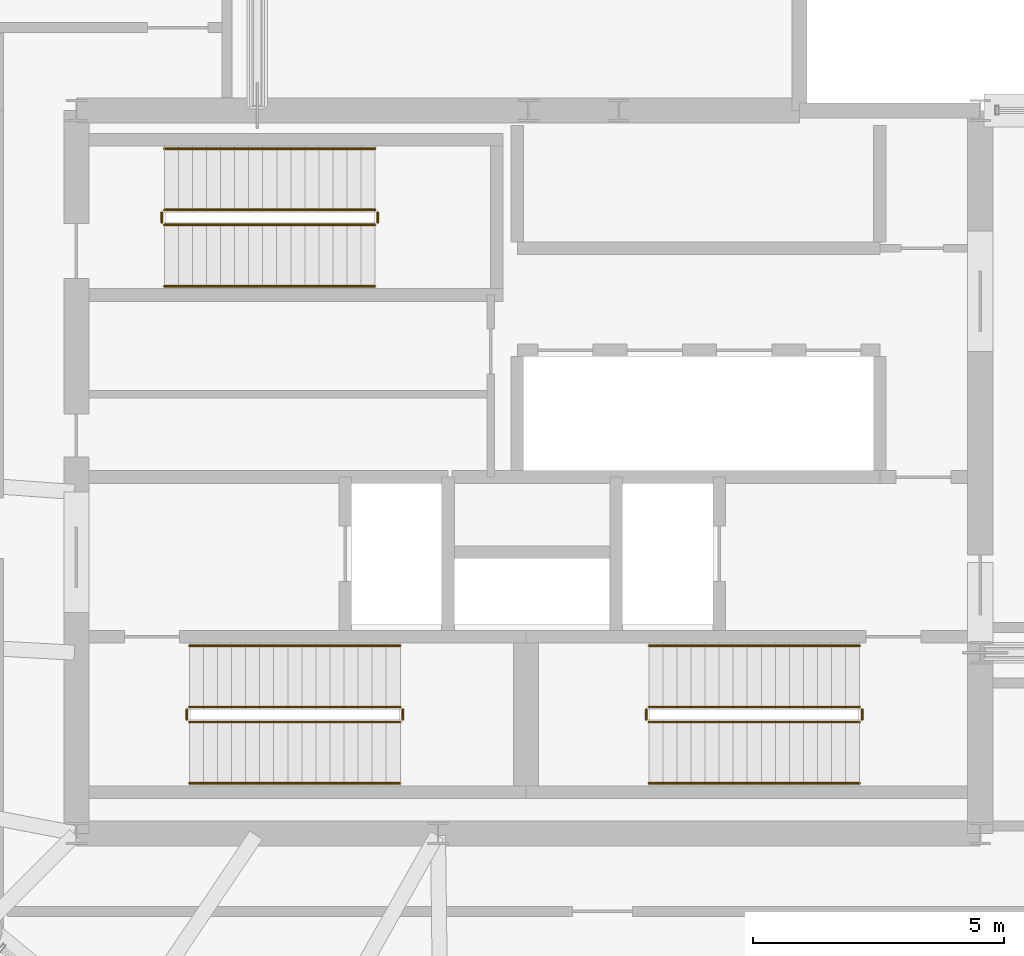
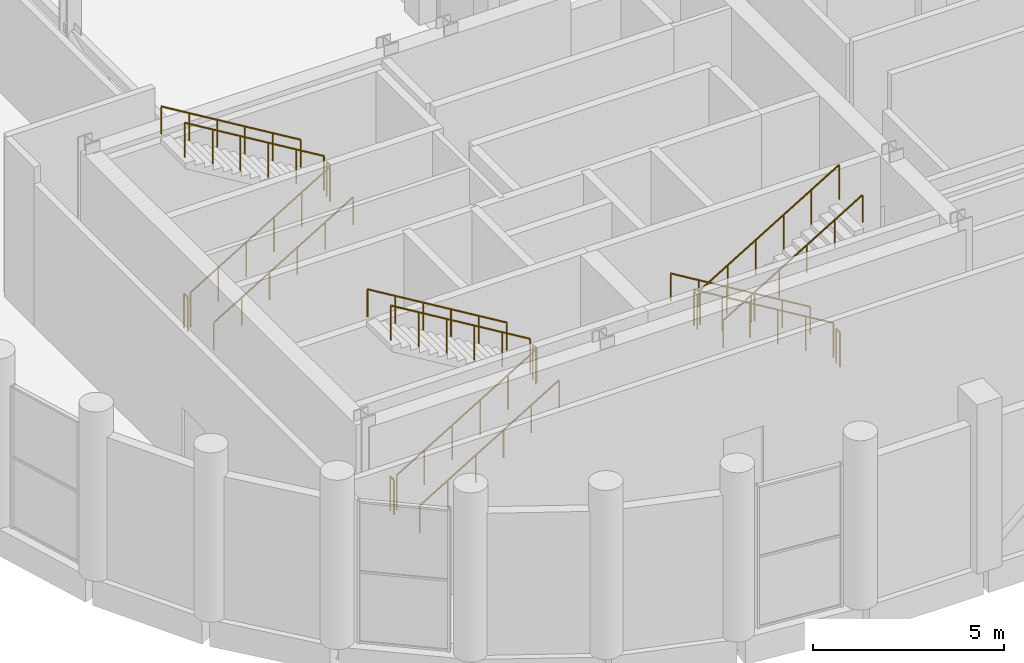
# One storey, part 19 of 19: 18 railings.
"""IFC4 building model written with IfcOpenShell, lengths in metres."""

import ifcopenshell
import ifcopenshell.guid

model = None  # the IFC model being written
_history = None  # IfcOwnerHistory: only IFC2X3 demands one
_inside = {}  # id of a spatial element -> (the spatial element, [elements in it])
_under = {}  # id of a project, library or spatial element -> (it, [spatial elements below it])
_declared = {}  # id of a project -> (the project, [libraries it declares])
_typed = {}  # id of a type object -> (the type object, [elements of that type])
_made_of = {}  # id of a material, layer set ... -> (it, [elements and type objects made of it])


def new_model(schema):
    """Start an empty IFC model of exactly this schema.

    Asked for "IFC4X3", IfcOpenShell would pick the latest addendum, in which some entities
    have other attributes; the version numbers below select the first issue.
    IFC2X3 requires an IfcOwnerHistory on every rooted entity: one is made here for all.
    """
    global model, _history
    if schema == "IFC4X3":
        model = ifcopenshell.file(schema_version=(4, 3, 0, 0))
    else:
        model = ifcopenshell.file(schema=schema)
    _inside.clear()
    _under.clear()
    _declared.clear()
    _typed.clear()
    _made_of.clear()
    _history = None
    if model.schema == "IFC2X3":
        org = make("IfcOrganization", Name="unknown")
        user = make(
            "IfcPersonAndOrganization",
            ThePerson=make("IfcPerson", FamilyName="unknown"),
            TheOrganization=org,
        )
        app = make(
            "IfcApplication",
            ApplicationDeveloper=org,
            Version="unknown",
            ApplicationFullName="unknown",
            ApplicationIdentifier="unknown",
        )
        _history = make(
            "IfcOwnerHistory",
            OwningUser=user,
            OwningApplication=app,
            ChangeAction="ADDED",
            CreationDate=0,
        )
    return model


def make(cls, **values):
    """One entity of the class cls with the attributes given. An attribute that is None is left unset."""
    return model.create_entity(
        cls, **{name: value for name, value in values.items() if value is not None}
    )


def rooted(cls, **values):
    """An entity with a GlobalId (a new one), such as an element, a storey or a relation."""
    return make(cls, GlobalId=ifcopenshell.guid.new(), OwnerHistory=_history, **values)


def si_unit(unit_type, name, prefix=None):
    """IfcSIUnit, for example si_unit("LENGTHUNIT", "METRE", prefix="MILLI")."""
    return make("IfcSIUnit", UnitType=unit_type, Prefix=prefix, Name=name)


def assignment(units):
    """IfcUnitAssignment: the units of a project."""
    return None if units is None else make("IfcUnitAssignment", Units=units)


def point(xyz):
    """IfcCartesianPoint."""
    return None if xyz is None else make("IfcCartesianPoint", Coordinates=xyz)


def direction(xyz):
    """IfcDirection."""
    return None if xyz is None else make("IfcDirection", DirectionRatios=xyz)


def frame(location, z_axis=None, x_axis=None):
    """IfcAxis2Placement3D, a coordinate frame: its origin and axes. An axis left out is left unset."""
    return make(
        "IfcAxis2Placement3D",
        Location=point(location),
        Axis=direction(z_axis),
        RefDirection=direction(x_axis),
    )


def frame_2d(location, x_axis=None):
    """IfcAxis2Placement2D, a coordinate frame in the plane: its origin and x axis."""
    return make(
        "IfcAxis2Placement2D", Location=point(location), RefDirection=direction(x_axis)
    )


def origin():
    """The frame at (0, 0, 0) with its axes left unset."""
    return frame((0.0, 0.0, 0.0))


def origin_2d():
    """The frame at (0, 0) in the plane with its x axis left unset."""
    return frame_2d((0.0, 0.0))


def place(relative_to, where):
    """IfcLocalPlacement: puts the frame where relative to a parent placement (None: the world)."""
    return make(
        "IfcLocalPlacement", PlacementRelTo=relative_to, RelativePlacement=where
    )


def context(
    kind, dimensions, precision=None, world=None, true_north=None, identifier=None
):
    """IfcGeometricRepresentationContext, for example the 3D "Model" context."""
    return make(
        "IfcGeometricRepresentationContext",
        ContextIdentifier=identifier,
        ContextType=kind,
        CoordinateSpaceDimension=dimensions,
        Precision=precision,
        WorldCoordinateSystem=world,
        TrueNorth=true_north,
    )


def subcontext(parent, identifier, kind, view, scale=None):
    """IfcGeometricRepresentationSubContext, for example "Body" below "Model"."""
    return make(
        "IfcGeometricRepresentationSubContext",
        ContextIdentifier=identifier,
        ContextType=kind,
        ParentContext=parent,
        TargetScale=scale,
        TargetView=view,
    )


def project(units=None, contexts=None):
    """IfcProject with its units and contexts."""
    return rooted(
        "IfcProject",
        Name="project",
        RepresentationContexts=contexts,
        UnitsInContext=assignment(units),
    )


def spatial(cls, under=None, at=None, **own):
    """A site, building, storey or space (cls), placed at a placement, below another one or the project."""
    s = rooted(cls, ObjectPlacement=at, **own)
    if under is not None:
        _under.setdefault(under.id(), (under, []))[1].append(s)
    return s


def profile(cls, at=None, kind="AREA", **sizes):
    """A parametric profile (cls). Its sizes go by their IFC names, for example OverallWidth=200.0."""
    return make(cls, ProfileType=kind, Position=at, **sizes)


def circle(**sizes):
    """IfcCircleProfileDef."""
    return profile("IfcCircleProfileDef", **sizes)


def extrude(swept, where, along, depth):
    """IfcExtrudedAreaSolid: the profile swept, set in the frame where, extruded along a direction by depth."""
    return make(
        "IfcExtrudedAreaSolid",
        SweptArea=swept,
        Position=where,
        ExtrudedDirection=direction(along),
        Depth=depth,
    )


def shape(context_of_items, identifier, shape_type, items):
    """IfcShapeRepresentation: the items that make up one representation, for example the "Body"."""
    return make(
        "IfcShapeRepresentation",
        ContextOfItems=context_of_items,
        RepresentationIdentifier=identifier,
        RepresentationType=shape_type,
        Items=items,
    )


def material(Name=None, Category=None):
    """IfcMaterial."""
    return make("IfcMaterial", Name=Name, Category=Category)


def made_of(thing, what):
    """Note that an element or type object is made of a material, layer set ...; save() writes the relation."""
    if what is not None:
        _made_of.setdefault(what.id(), (what, []))[1].append(thing)
    return thing


def type_object(cls, material=None, **own):
    """A type object (cls), such as IfcWallType, which elements share."""
    return made_of(rooted(cls, **own), material)


def element(
    cls,
    number,
    at=None,
    inside=None,
    cuts=None,
    type_object=None,
    material=None,
    context=None,
    identifier="Body",
    shape_type=None,
    held_by="IfcProductDefinitionShape",
    body=None,
    shapes=None,
    **own,
):
    """One element of the class cls, such as IfcWall. Its Tag is "e" and its number.

    at: its placement. inside: the storey or other place that contains it. cuts: it is an
    opening in that element (IfcRelVoidsElement). A single representation is given by context,
    identifier, shape_type and body (its items); several are given by shapes. held_by: the class
    of the entity that holds the representations. save() writes the other relations.
    """
    e = rooted(cls, Tag="e%d" % number, ObjectPlacement=at, **own)
    if body is not None:
        shapes = [shape(context, identifier, shape_type, body)]
    if shapes is not None:
        e.Representation = make(held_by, Representations=shapes)
    if inside is not None:
        _inside.setdefault(inside.id(), (inside, []))[1].append(e)
    if cuts is not None:
        rooted(
            "IfcRelVoidsElement", RelatingBuildingElement=cuts, RelatedOpeningElement=e
        )
    if type_object is not None:
        _typed.setdefault(type_object.id(), (type_object, []))[1].append(e)
    return made_of(e, material)


def aggregate(whole, parts):
    """IfcRelAggregates: a whole, such as a stair, and the parts it consists of."""
    return rooted("IfcRelAggregates", RelatingObject=whole, RelatedObjects=parts)


def save(model, path):
    """Write the relations noted so far, then the file.

    IfcRelAggregates (storeys below a building ...), IfcRelContainedInSpatialStructure (elements
    in a storey), IfcRelDefinesByType, IfcRelAssociatesMaterial and IfcRelDeclares: one each for
    every whole, place, type object, material and project.
    """
    for whole, parts in _under.values():
        aggregate(whole, parts)
    for where, things in _inside.values():
        rooted(
            "IfcRelContainedInSpatialStructure",
            RelatedElements=things,
            RelatingStructure=where,
        )
    for kind, things in _typed.values():
        rooted("IfcRelDefinesByType", RelatedObjects=things, RelatingType=kind)
    for what, things in _made_of.values():
        rooted("IfcRelAssociatesMaterial", RelatedObjects=things, RelatingMaterial=what)
    for by, libraries in _declared.values():
        rooted("IfcRelDeclares", RelatingContext=by, RelatedDefinitions=libraries)
    model.write(path)


model = new_model("IFC4")

# Units and contexts
model_context = context("Model", 3, precision=1e-05, world=origin(), true_north=direction((0.0, 1.0)))
body_context = subcontext(model_context, "Body", "Model", "MODEL_VIEW")
ifc_project = project(units=[si_unit("LENGTHUNIT", "METRE"), si_unit("AREAUNIT", "SQUARE_METRE"), si_unit("VOLUMEUNIT", "CUBIC_METRE"), si_unit("PLANEANGLEUNIT", "RADIAN"), si_unit("MASSUNIT", "GRAM", prefix="KILO")], contexts=[model_context])

# Site, building, storey
site_placement = place(None, origin())
site = spatial("IfcSite", under=ifc_project, at=site_placement, CompositionType="ELEMENT")
building_placement = place(site_placement, origin())
building = spatial("IfcBuilding", under=site, at=building_placement, Name="Solnavia Interchange Tower", CompositionType="ELEMENT")
storey_placement = place(building_placement, frame((0.0, 0.0, 169.39990234375)))
storey = spatial("IfcBuildingStorey", under=building, at=storey_placement, Name="L42", CompositionType="ELEMENT", Elevation=169.39990234375)

# Railings
ifc_material_1 = material(Name="Painted Steel Balustrade", Category="steel")
railing_type_1 = type_object("IfcRailingType", Name="Railing-StairGuard-1100", PredefinedType="GUARDRAIL", material=ifc_material_1)
railing_1_placement = place(storey_placement, frame((16.64990234375, 13.02001953125, 0.1689453125)))
element("IfcRailing", 1, at=railing_1_placement, inside=storey, type_object=railing_type_1, Name="L42 ST-1 stair guard 1", PredefinedType="GUARDRAIL", context=body_context, shape_type="SweptSolid", body=[
    extrude(circle(Radius=0.02392578125, at=origin_2d()), frame((0.0, 0.0, 1.09619140625), z_axis=(0.856489757249, 0.0, 0.516164020179), x_axis=(0.0, 1.0, 0.0)), (0.0, 0.0, 1.0), 4.904052734375),
    extrude(circle(Radius=0.02099609375, at=origin_2d()), origin(), (0.0, 0.0, 1.0), 1.072021484375),
    extrude(circle(Radius=0.02099609375, at=origin_2d()), frame((0.840087890625, 0.0, 0.50634765625)), (0.0, 0.0, 1.0), 1.072021484375),
    extrude(circle(Radius=0.02099609375, at=origin_2d()), frame((1.68017578125, 0.0, 1.012451171875)), (0.0, 0.0, 1.0), 1.072021484375),
    extrude(circle(Radius=0.02099609375, at=origin_2d()), frame((2.52001953125, 0.0, 1.518798828125)), (0.0, 0.0, 1.0), 1.072021484375),
    extrude(circle(Radius=0.02099609375, at=origin_2d()), frame((3.360107421875, 0.0, 2.02490234375)), (0.0, 0.0, 1.0), 1.072021484375),
    extrude(circle(Radius=0.02099609375, at=origin_2d()), frame((4.2001953125, 0.0, 2.53125)), (0.0, 0.0, 1.0), 1.072021484375),
])
railing_2_placement = place(storey_placement, frame((20.89990234375, 13.070068359375, 2.7001953125)))
element("IfcRailing", 2, at=railing_2_placement, inside=storey, type_object=railing_type_1, Name="L42 ST-1 stair guard 2", PredefinedType="GUARDRAIL", context=body_context, shape_type="SweptSolid", body=[
    extrude(circle(Radius=0.02392578125, at=origin_2d()), frame((0.0, 0.0, 1.09619140625), z_axis=(0.0, 1.0, 0.0), x_axis=(-1.0, 0.0, 0.0)), (0.0, 0.0, 1.0), 0.199951171875),
    extrude(circle(Radius=0.02099609375, at=origin_2d()), origin(), (0.0, 0.0, 1.0), 1.072021484375),
    extrude(circle(Radius=0.02099609375, at=origin_2d()), frame((0.0, 0.199951171875, 0.0)), (0.0, 0.0, 1.0), 1.072021484375),
])
railing_3_placement = place(storey_placement, frame((20.85009765625, 13.320068359375, 2.868896484375)))
element("IfcRailing", 3, at=railing_3_placement, inside=storey, type_object=railing_type_1, Name="L42 ST-1 stair guard 3", PredefinedType="GUARDRAIL", context=body_context, shape_type="SweptSolid", body=[
    extrude(circle(Radius=0.02392578125, at=origin_2d()), frame((0.0, 0.0, 1.09619140625), z_axis=(-0.856489757249, 0.0, 0.516164020179), x_axis=(0.0, -1.0, 0.0)), (0.0, 0.0, 1.0), 4.904052734375),
    extrude(circle(Radius=0.02099609375, at=origin_2d()), origin(), (0.0, 0.0, 1.0), 1.072021484375),
    extrude(circle(Radius=0.02099609375, at=origin_2d()), frame((-0.840087890625, 0.0, 0.50634765625)), (0.0, 0.0, 1.0), 1.072021484375),
    extrude(circle(Radius=0.02099609375, at=origin_2d()), frame((-1.68017578125, 0.0, 1.012451171875)), (0.0, 0.0, 1.0), 1.072021484375),
    extrude(circle(Radius=0.02099609375, at=origin_2d()), frame((-2.52001953125, 0.0, 1.518798828125)), (0.0, 0.0, 1.0), 1.072021484375),
    extrude(circle(Radius=0.02099609375, at=origin_2d()), frame((-3.360107421875, 0.0, 2.02490234375)), (0.0, 0.0, 1.0), 1.072021484375),
    extrude(circle(Radius=0.02099609375, at=origin_2d()), frame((-4.2001953125, 0.0, 2.53125)), (0.0, 0.0, 1.0), 1.072021484375),
])
railing_4_placement = place(storey_placement, frame((16.60009765625, 13.070068359375, 0.0)))
element("IfcRailing", 4, at=railing_4_placement, inside=storey, type_object=railing_type_1, Name="L42 ST-1 stair guard 4", PredefinedType="GUARDRAIL", context=body_context, shape_type="SweptSolid", body=[
    extrude(circle(Radius=0.02392578125, at=origin_2d()), frame((0.0, 0.0, 1.09619140625), z_axis=(0.0, 1.0, 0.0), x_axis=(-1.0, 0.0, 0.0)), (0.0, 0.0, 1.0), 0.199951171875),
    extrude(circle(Radius=0.02099609375, at=origin_2d()), origin(), (0.0, 0.0, 1.0), 1.072021484375),
    extrude(circle(Radius=0.02099609375, at=origin_2d()), frame((0.0, 0.199951171875, 0.0)), (0.0, 0.0, 1.0), 1.072021484375),
])
railing_5_placement = place(storey_placement, frame((30.0, 13.320068359375, 0.1689453125)))
element("IfcRailing", 5, at=railing_5_placement, inside=storey, type_object=railing_type_1, Name="L42 ST-2 stair guard 1", PredefinedType="GUARDRAIL", context=body_context, shape_type="SweptSolid", body=[
    extrude(circle(Radius=0.02392578125, at=origin_2d()), frame((0.0, 0.0, 1.09619140625), z_axis=(-0.856476492594, 0.0, 0.516186030065), x_axis=(0.0, -1.0, 0.0)), (0.0, 0.0, 1.0), 4.90380859375),
    extrude(circle(Radius=0.02099609375, at=origin_2d()), origin(), (0.0, 0.0, 1.0), 1.072021484375),
    extrude(circle(Radius=0.02099609375, at=origin_2d()), frame((-0.840087890625, 0.0, 0.50634765625)), (0.0, 0.0, 1.0), 1.072021484375),
    extrude(circle(Radius=0.02099609375, at=origin_2d()), frame((-1.679931640625, 0.0, 1.012451171875)), (0.0, 0.0, 1.0), 1.072021484375),
    extrude(circle(Radius=0.02099609375, at=origin_2d()), frame((-2.52001953125, 0.0, 1.518798828125)), (0.0, 0.0, 1.0), 1.072021484375),
    extrude(circle(Radius=0.02099609375, at=origin_2d()), frame((-3.35986328125, 0.0, 2.02490234375)), (0.0, 0.0, 1.0), 1.072021484375),
    extrude(circle(Radius=0.02099609375, at=origin_2d()), frame((-4.199951171875, 0.0, 2.53125)), (0.0, 0.0, 1.0), 1.072021484375),
])
railing_6_placement = place(storey_placement, frame((25.75, 13.27001953125, 2.7001953125)))
element("IfcRailing", 6, at=railing_6_placement, inside=storey, type_object=railing_type_1, Name="L42 ST-2 stair guard 2", PredefinedType="GUARDRAIL", context=body_context, shape_type="SweptSolid", body=[
    extrude(circle(Radius=0.02392578125, at=origin_2d()), frame((0.0, 0.0, 1.09619140625), z_axis=(0.0, -1.0, 0.0), x_axis=(1.0, 0.0, 0.0)), (0.0, 0.0, 1.0), 0.199951171875),
    extrude(circle(Radius=0.02099609375, at=origin_2d()), origin(), (0.0, 0.0, 1.0), 1.072021484375),
    extrude(circle(Radius=0.02099609375, at=origin_2d()), frame((0.0, -0.199951171875, 0.0)), (0.0, 0.0, 1.0), 1.072021484375),
])
railing_7_placement = place(storey_placement, frame((25.800048828125, 13.02001953125, 2.868896484375)))
element("IfcRailing", 7, at=railing_7_placement, inside=storey, type_object=railing_type_1, Name="L42 ST-2 stair guard 3", PredefinedType="GUARDRAIL", context=body_context, shape_type="SweptSolid", body=[
    extrude(circle(Radius=0.02392578125, at=origin_2d()), frame((0.0, 0.0, 1.09619140625), z_axis=(0.856476492594, 0.0, 0.516186030065), x_axis=(0.0, 1.0, 0.0)), (0.0, 0.0, 1.0), 4.90380859375),
    extrude(circle(Radius=0.02099609375, at=origin_2d()), origin(), (0.0, 0.0, 1.0), 1.072021484375),
    extrude(circle(Radius=0.02099609375, at=origin_2d()), frame((0.840087890625, 0.0, 0.50634765625)), (0.0, 0.0, 1.0), 1.072021484375),
    extrude(circle(Radius=0.02099609375, at=origin_2d()), frame((1.679931640625, 0.0, 1.012451171875)), (0.0, 0.0, 1.0), 1.072021484375),
    extrude(circle(Radius=0.02099609375, at=origin_2d()), frame((2.52001953125, 0.0, 1.518798828125)), (0.0, 0.0, 1.0), 1.072021484375),
    extrude(circle(Radius=0.02099609375, at=origin_2d()), frame((3.35986328125, 0.0, 2.02490234375)), (0.0, 0.0, 1.0), 1.072021484375),
    extrude(circle(Radius=0.02099609375, at=origin_2d()), frame((4.199951171875, 0.0, 2.53125)), (0.0, 0.0, 1.0), 1.072021484375),
])
railing_8_placement = place(storey_placement, frame((30.050048828125, 13.27001953125, 0.0)))
element("IfcRailing", 8, at=railing_8_placement, inside=storey, type_object=railing_type_1, Name="L42 ST-2 stair guard 4", PredefinedType="GUARDRAIL", context=body_context, shape_type="SweptSolid", body=[
    extrude(circle(Radius=0.02392578125, at=origin_2d()), frame((0.0, 0.0, 1.09619140625), z_axis=(0.0, -1.0, 0.0), x_axis=(1.0, 0.0, 0.0)), (0.0, 0.0, 1.0), 0.199951171875),
    extrude(circle(Radius=0.02099609375, at=origin_2d()), origin(), (0.0, 0.0, 1.0), 1.072021484375),
    extrude(circle(Radius=0.02099609375, at=origin_2d()), frame((0.0, -0.199951171875, 0.0)), (0.0, 0.0, 1.0), 1.072021484375),
])
railing_9_placement = place(storey_placement, frame((16.14990234375, 22.919921875, 0.1689453125)))
element("IfcRailing", 9, at=railing_9_placement, inside=storey, type_object=railing_type_1, Name="L42 ST-3 stair guard 1", PredefinedType="GUARDRAIL", context=body_context, shape_type="SweptSolid", body=[
    extrude(circle(Radius=0.02392578125, at=origin_2d()), frame((0.0, 0.0, 1.09619140625), z_axis=(0.856489757249, 0.0, 0.516164020179), x_axis=(0.0, 1.0, 0.0)), (0.0, 0.0, 1.0), 4.904052734375),
    extrude(circle(Radius=0.02099609375, at=origin_2d()), origin(), (0.0, 0.0, 1.0), 1.072021484375),
    extrude(circle(Radius=0.02099609375, at=origin_2d()), frame((0.840087890625, 0.0, 0.50634765625)), (0.0, 0.0, 1.0), 1.072021484375),
    extrude(circle(Radius=0.02099609375, at=origin_2d()), frame((1.68017578125, 0.0, 1.012451171875)), (0.0, 0.0, 1.0), 1.072021484375),
    extrude(circle(Radius=0.02099609375, at=origin_2d()), frame((2.52001953125, 0.0, 1.518798828125)), (0.0, 0.0, 1.0), 1.072021484375),
    extrude(circle(Radius=0.02099609375, at=origin_2d()), frame((3.360107421875, 0.0, 2.02490234375)), (0.0, 0.0, 1.0), 1.072021484375),
    extrude(circle(Radius=0.02099609375, at=origin_2d()), frame((4.2001953125, 0.0, 2.53125)), (0.0, 0.0, 1.0), 1.072021484375),
])
railing_10_placement = place(storey_placement, frame((20.39990234375, 22.969970703125, 2.7001953125)))
element("IfcRailing", 10, at=railing_10_placement, inside=storey, type_object=railing_type_1, Name="L42 ST-3 stair guard 2", PredefinedType="GUARDRAIL", context=body_context, shape_type="SweptSolid", body=[
    extrude(circle(Radius=0.02392578125, at=origin_2d()), frame((0.0, 0.0, 1.09619140625), z_axis=(0.0, 1.0, 0.0), x_axis=(-1.0, 0.0, 0.0)), (0.0, 0.0, 1.0), 0.199951171875),
    extrude(circle(Radius=0.02099609375, at=origin_2d()), origin(), (0.0, 0.0, 1.0), 1.072021484375),
    extrude(circle(Radius=0.02099609375, at=origin_2d()), frame((0.0, 0.199951171875, 0.0)), (0.0, 0.0, 1.0), 1.072021484375),
])
railing_11_placement = place(storey_placement, frame((20.35009765625, 23.219970703125, 2.868896484375)))
element("IfcRailing", 11, at=railing_11_placement, inside=storey, type_object=railing_type_1, Name="L42 ST-3 stair guard 3", PredefinedType="GUARDRAIL", context=body_context, shape_type="SweptSolid", body=[
    extrude(circle(Radius=0.02392578125, at=origin_2d()), frame((0.0, 0.0, 1.09619140625), z_axis=(-0.856489757249, 0.0, 0.516164020179), x_axis=(0.0, -1.0, 0.0)), (0.0, 0.0, 1.0), 4.904052734375),
    extrude(circle(Radius=0.02099609375, at=origin_2d()), origin(), (0.0, 0.0, 1.0), 1.072021484375),
    extrude(circle(Radius=0.02099609375, at=origin_2d()), frame((-0.840087890625, 0.0, 0.50634765625)), (0.0, 0.0, 1.0), 1.072021484375),
    extrude(circle(Radius=0.02099609375, at=origin_2d()), frame((-1.68017578125, 0.0, 1.012451171875)), (0.0, 0.0, 1.0), 1.072021484375),
    extrude(circle(Radius=0.02099609375, at=origin_2d()), frame((-2.52001953125, 0.0, 1.518798828125)), (0.0, 0.0, 1.0), 1.072021484375),
    extrude(circle(Radius=0.02099609375, at=origin_2d()), frame((-3.360107421875, 0.0, 2.02490234375)), (0.0, 0.0, 1.0), 1.072021484375),
    extrude(circle(Radius=0.02099609375, at=origin_2d()), frame((-4.2001953125, 0.0, 2.53125)), (0.0, 0.0, 1.0), 1.072021484375),
])
railing_12_placement = place(storey_placement, frame((16.10009765625, 22.969970703125, 0.0)))
element("IfcRailing", 12, at=railing_12_placement, inside=storey, type_object=railing_type_1, Name="L42 ST-3 stair guard 4", PredefinedType="GUARDRAIL", context=body_context, shape_type="SweptSolid", body=[
    extrude(circle(Radius=0.02392578125, at=origin_2d()), frame((0.0, 0.0, 1.09619140625), z_axis=(0.0, 1.0, 0.0), x_axis=(-1.0, 0.0, 0.0)), (0.0, 0.0, 1.0), 0.199951171875),
    extrude(circle(Radius=0.02099609375, at=origin_2d()), origin(), (0.0, 0.0, 1.0), 1.072021484375),
    extrude(circle(Radius=0.02099609375, at=origin_2d()), frame((0.0, 0.199951171875, 0.0)), (0.0, 0.0, 1.0), 1.072021484375),
])
ifc_material_2 = material(Name="Brushed Stainless Steel", Category="steel")
railing_type_2 = type_object("IfcRailingType", Name="Railing-StairHandrail-900", PredefinedType="HANDRAIL", material=ifc_material_2)
railing_13_placement = place(storey_placement, frame((16.64990234375, 11.800048828125, 0.1689453125)))
element("IfcRailing", 13, at=railing_13_placement, inside=storey, type_object=railing_type_2, Name="L42 ST-1 stair handrail 1", PredefinedType="HANDRAIL", context=body_context, shape_type="SweptSolid", body=[
    extrude(circle(Radius=0.02392578125, at=origin_2d()), frame((0.0, 0.0, 0.8759765625), z_axis=(0.856489757249, 0.0, 0.516164020179), x_axis=(0.0, 1.0, 0.0)), (0.0, 0.0, 1.0), 4.904052734375),
    extrude(circle(Radius=0.02099609375, at=origin_2d()), origin(), (0.0, 0.0, 1.0), 0.851806640625),
    extrude(circle(Radius=0.02099609375, at=origin_2d()), frame((0.840087890625, 0.0, 0.50634765625)), (0.0, 0.0, 1.0), 0.851806640625),
    extrude(circle(Radius=0.02099609375, at=origin_2d()), frame((1.68017578125, 0.0, 1.012451171875)), (0.0, 0.0, 1.0), 0.851806640625),
    extrude(circle(Radius=0.02099609375, at=origin_2d()), frame((2.52001953125, 0.0, 1.518798828125)), (0.0, 0.0, 1.0), 0.851806640625),
    extrude(circle(Radius=0.02099609375, at=origin_2d()), frame((3.360107421875, 0.0, 2.02490234375)), (0.0, 0.0, 1.0), 0.851806640625),
    extrude(circle(Radius=0.02099609375, at=origin_2d()), frame((4.2001953125, 0.0, 2.53125)), (0.0, 0.0, 1.0), 0.851806640625),
])
railing_14_placement = place(storey_placement, frame((20.85009765625, 14.5400390625, 2.868896484375)))
element("IfcRailing", 14, at=railing_14_placement, inside=storey, type_object=railing_type_2, Name="L42 ST-1 stair handrail 2", PredefinedType="HANDRAIL", context=body_context, shape_type="SweptSolid", body=[
    extrude(circle(Radius=0.02392578125, at=origin_2d()), frame((0.0, 0.0, 0.8759765625), z_axis=(-0.856489757249, 0.0, 0.516164020179), x_axis=(0.0, -1.0, 0.0)), (0.0, 0.0, 1.0), 4.904052734375),
    extrude(circle(Radius=0.02099609375, at=origin_2d()), origin(), (0.0, 0.0, 1.0), 0.851806640625),
    extrude(circle(Radius=0.02099609375, at=origin_2d()), frame((-0.840087890625, 0.0, 0.50634765625)), (0.0, 0.0, 1.0), 0.851806640625),
    extrude(circle(Radius=0.02099609375, at=origin_2d()), frame((-1.68017578125, 0.0, 1.012451171875)), (0.0, 0.0, 1.0), 0.851806640625),
    extrude(circle(Radius=0.02099609375, at=origin_2d()), frame((-2.52001953125, 0.0, 1.518798828125)), (0.0, 0.0, 1.0), 0.851806640625),
    extrude(circle(Radius=0.02099609375, at=origin_2d()), frame((-3.360107421875, 0.0, 2.02490234375)), (0.0, 0.0, 1.0), 0.851806640625),
    extrude(circle(Radius=0.02099609375, at=origin_2d()), frame((-4.2001953125, 0.0, 2.53125)), (0.0, 0.0, 1.0), 0.851806640625),
])
railing_15_placement = place(storey_placement, frame((30.0, 14.5400390625, 0.1689453125)))
element("IfcRailing", 15, at=railing_15_placement, inside=storey, type_object=railing_type_2, Name="L42 ST-2 stair handrail 1", PredefinedType="HANDRAIL", context=body_context, shape_type="SweptSolid", body=[
    extrude(circle(Radius=0.02392578125, at=origin_2d()), frame((0.0, 0.0, 0.8759765625), z_axis=(-0.856476492594, 0.0, 0.516186030065), x_axis=(0.0, -1.0, 0.0)), (0.0, 0.0, 1.0), 4.90380859375),
    extrude(circle(Radius=0.02099609375, at=origin_2d()), origin(), (0.0, 0.0, 1.0), 0.851806640625),
    extrude(circle(Radius=0.02099609375, at=origin_2d()), frame((-0.840087890625, 0.0, 0.50634765625)), (0.0, 0.0, 1.0), 0.851806640625),
    extrude(circle(Radius=0.02099609375, at=origin_2d()), frame((-1.679931640625, 0.0, 1.012451171875)), (0.0, 0.0, 1.0), 0.851806640625),
    extrude(circle(Radius=0.02099609375, at=origin_2d()), frame((-2.52001953125, 0.0, 1.518798828125)), (0.0, 0.0, 1.0), 0.851806640625),
    extrude(circle(Radius=0.02099609375, at=origin_2d()), frame((-3.35986328125, 0.0, 2.02490234375)), (0.0, 0.0, 1.0), 0.851806640625),
    extrude(circle(Radius=0.02099609375, at=origin_2d()), frame((-4.199951171875, 0.0, 2.53125)), (0.0, 0.0, 1.0), 0.851806640625),
])
railing_16_placement = place(storey_placement, frame((25.800048828125, 11.800048828125, 2.868896484375)))
element("IfcRailing", 16, at=railing_16_placement, inside=storey, type_object=railing_type_2, Name="L42 ST-2 stair handrail 2", PredefinedType="HANDRAIL", context=body_context, shape_type="SweptSolid", body=[
    extrude(circle(Radius=0.02392578125, at=origin_2d()), frame((0.0, 0.0, 0.8759765625), z_axis=(0.856476492594, 0.0, 0.516186030065), x_axis=(0.0, 1.0, 0.0)), (0.0, 0.0, 1.0), 4.90380859375),
    extrude(circle(Radius=0.02099609375, at=origin_2d()), origin(), (0.0, 0.0, 1.0), 0.851806640625),
    extrude(circle(Radius=0.02099609375, at=origin_2d()), frame((0.840087890625, 0.0, 0.50634765625)), (0.0, 0.0, 1.0), 0.851806640625),
    extrude(circle(Radius=0.02099609375, at=origin_2d()), frame((1.679931640625, 0.0, 1.012451171875)), (0.0, 0.0, 1.0), 0.851806640625),
    extrude(circle(Radius=0.02099609375, at=origin_2d()), frame((2.52001953125, 0.0, 1.518798828125)), (0.0, 0.0, 1.0), 0.851806640625),
    extrude(circle(Radius=0.02099609375, at=origin_2d()), frame((3.35986328125, 0.0, 2.02490234375)), (0.0, 0.0, 1.0), 0.851806640625),
    extrude(circle(Radius=0.02099609375, at=origin_2d()), frame((4.199951171875, 0.0, 2.53125)), (0.0, 0.0, 1.0), 0.851806640625),
])
railing_17_placement = place(storey_placement, frame((16.14990234375, 21.699951171875, 0.1689453125)))
element("IfcRailing", 17, at=railing_17_placement, inside=storey, type_object=railing_type_2, Name="L42 ST-3 stair handrail 1", PredefinedType="HANDRAIL", context=body_context, shape_type="SweptSolid", body=[
    extrude(circle(Radius=0.02392578125, at=origin_2d()), frame((0.0, 0.0, 0.8759765625), z_axis=(0.856489757249, 0.0, 0.516164020179), x_axis=(0.0, 1.0, 0.0)), (0.0, 0.0, 1.0), 4.904052734375),
    extrude(circle(Radius=0.02099609375, at=origin_2d()), origin(), (0.0, 0.0, 1.0), 0.851806640625),
    extrude(circle(Radius=0.02099609375, at=origin_2d()), frame((0.840087890625, 0.0, 0.50634765625)), (0.0, 0.0, 1.0), 0.851806640625),
    extrude(circle(Radius=0.02099609375, at=origin_2d()), frame((1.68017578125, 0.0, 1.012451171875)), (0.0, 0.0, 1.0), 0.851806640625),
    extrude(circle(Radius=0.02099609375, at=origin_2d()), frame((2.52001953125, 0.0, 1.518798828125)), (0.0, 0.0, 1.0), 0.851806640625),
    extrude(circle(Radius=0.02099609375, at=origin_2d()), frame((3.360107421875, 0.0, 2.02490234375)), (0.0, 0.0, 1.0), 0.851806640625),
    extrude(circle(Radius=0.02099609375, at=origin_2d()), frame((4.2001953125, 0.0, 2.53125)), (0.0, 0.0, 1.0), 0.851806640625),
])
railing_18_placement = place(storey_placement, frame((20.35009765625, 24.43994140625, 2.868896484375)))
element("IfcRailing", 18, at=railing_18_placement, inside=storey, type_object=railing_type_2, Name="L42 ST-3 stair handrail 2", PredefinedType="HANDRAIL", context=body_context, shape_type="SweptSolid", body=[
    extrude(circle(Radius=0.02392578125, at=origin_2d()), frame((0.0, 0.0, 0.8759765625), z_axis=(-0.856489757249, 0.0, 0.516164020179), x_axis=(0.0, -1.0, 0.0)), (0.0, 0.0, 1.0), 4.904052734375),
    extrude(circle(Radius=0.02099609375, at=origin_2d()), origin(), (0.0, 0.0, 1.0), 0.851806640625),
    extrude(circle(Radius=0.02099609375, at=origin_2d()), frame((-0.840087890625, 0.0, 0.50634765625)), (0.0, 0.0, 1.0), 0.851806640625),
    extrude(circle(Radius=0.02099609375, at=origin_2d()), frame((-1.68017578125, 0.0, 1.012451171875)), (0.0, 0.0, 1.0), 0.851806640625),
    extrude(circle(Radius=0.02099609375, at=origin_2d()), frame((-2.52001953125, 0.0, 1.518798828125)), (0.0, 0.0, 1.0), 0.851806640625),
    extrude(circle(Radius=0.02099609375, at=origin_2d()), frame((-3.360107421875, 0.0, 2.02490234375)), (0.0, 0.0, 1.0), 0.851806640625),
    extrude(circle(Radius=0.02099609375, at=origin_2d()), frame((-4.2001953125, 0.0, 2.53125)), (0.0, 0.0, 1.0), 0.851806640625),
])

save(model, "model.ifc")
